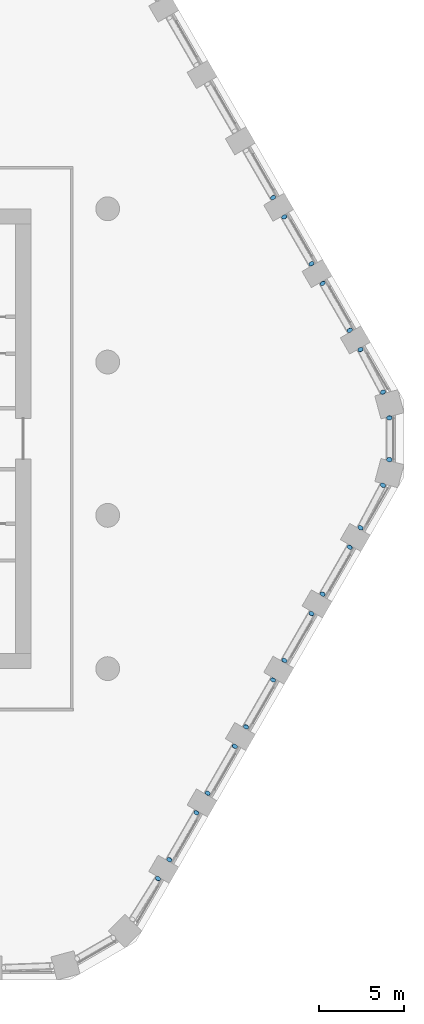
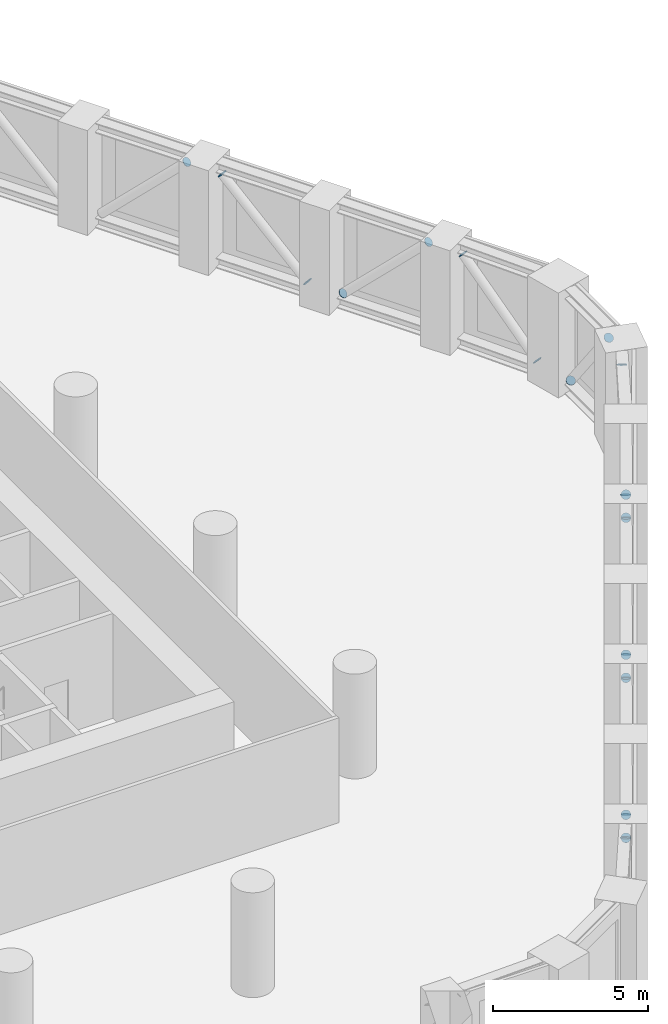
# One storey, part 16 of 18: 22 discrete accessories.
"""IFC4 building model written with IfcOpenShell, lengths in metres."""

from ifc_helpers import new_model, si_unit, direction, frame, origin, origin_2d, place, context, subcontext, project, spatial, circle, extrude, material, material_profile, profile_set, type_object, element, save


model = new_model("IFC4")

# Units and contexts
model_context = context("Model", 3, precision=1e-05, world=origin(), true_north=direction((0.0, 1.0)))
body_context = subcontext(model_context, "Body", "Model", "MODEL_VIEW")
ifc_project = project(units=[si_unit("LENGTHUNIT", "METRE"), si_unit("AREAUNIT", "SQUARE_METRE"), si_unit("VOLUMEUNIT", "CUBIC_METRE"), si_unit("PLANEANGLEUNIT", "RADIAN"), si_unit("MASSUNIT", "GRAM", prefix="KILO")], contexts=[model_context])

# Site, building, storey
site_placement = place(None, origin())
site = spatial("IfcSite", under=ifc_project, at=site_placement, CompositionType="ELEMENT")
building_placement = place(site_placement, origin())
building = spatial("IfcBuilding", under=site, at=building_placement, Name="Dhurran Vertical Campus", CompositionType="ELEMENT")
storey_placement = place(building_placement, frame((0.0, 0.0, 76.800048828125)))
storey = spatial("IfcBuildingStorey", under=building, at=storey_placement, Name="L18 Plant", CompositionType="ELEMENT", Elevation=76.800048828125)

# Discrete accessories
ifc_material = material(Name="Steel S355J2", Category="steel")
ifc_material_profile = material_profile(ifc_material, circle(Radius=0.161865234375, at=origin_2d()), Name="Tube end cap 324 x 20")
ifc_profile_set = profile_set([ifc_material_profile], Name="Steel S355J2")
discrete_accessory_type = type_object("IfcDiscreteAccessoryType", Name="Tube end cap 324 x 20", PredefinedType="USERDEFINED", material=ifc_profile_set)
for number, where, z_axis, x_axis, name in (
    (1, (25.44677734375, -25.8310546875, 3.6298828125), (0.352428962185, 0.571177973196, 0.741316092871), (-0.8510360128, 0.525107327047, 0.0), "EC1 belt L18 d10 capB"),
    (2, (27.70751953125, -21.96337890625, 0.502197265625), (0.354529585537, 0.623483064221, -0.696834012953), (-0.869290118928, 0.494302224488, 0.0), "EC1 belt L18 d11 capA"),
    (3, (26.12451171875, -24.705078125, 3.62255859375), (-0.364770287314, -0.607950478857, 0.705222555474), (0.857492925713, -0.514495755428, 0.0), "EC1 belt L18 d11 capB"),
    (4, (28.37451171875, -20.807861328125, 0.502197265625), (-0.36514837167, -0.620752231839, -0.693781906173), (0.861934215158, -0.507020126563, 0.0), "EC1 belt L18 d12 capA"),
    (5, (29.95751953125, -18.066162109375, 3.62255859375), (0.351521607435, 0.618193171696, 0.70304321487), (-0.869290118928, 0.494302224488, 0.0), "EC1 belt L18 d12 capB"),
    (6, (32.20751953125, -14.1689453125, 0.502197265625), (0.354529585537, 0.623483064221, -0.696834012953), (-0.869290118928, 0.494302224488, 0.0), "EC1 belt L18 d13 capA"),
    (7, (30.62451171875, -16.910888671875, 3.62255859375), (-0.364770287314, -0.607950478857, 0.705222555474), (0.857492925713, -0.514495755428, 0.0), "EC1 belt L18 d13 capB"),
    (8, (32.87451171875, -13.013671875, 0.502197265625), (-0.367911267232, -0.613185445387, -0.699031407741), (0.857492925713, -0.514495755428, 0.0), "EC1 belt L18 d14 capA"),
    (9, (34.45751953125, -10.27197265625, 3.62255859375), (0.351521607435, 0.618193171696, 0.70304321487), (-0.869290118928, 0.494302224488, 0.0), "EC1 belt L18 d14 capB"),
    (10, (36.70751953125, -6.374755859375, 0.502197265625), (0.354529585537, 0.623483064221, -0.696834012953), (-0.869290118928, 0.494302224488, 0.0), "EC1 belt L18 d15 capA"),
):
    element("IfcDiscreteAccessory", number, at=place(storey_placement, frame(where, z_axis=z_axis, x_axis=x_axis)), inside=storey, type_object=discrete_accessory_type, Name=name, ObjectType="END CAP", PredefinedType="USERDEFINED", context=body_context, shape_type="SweptSolid", body=[
        extrude(circle(Radius=0.161865234375, at=origin_2d()), origin(), (0.0, 0.0, 1.0), 0.02001953125),
    ])
discrete_accessory_placement = place(storey_placement, frame((35.12451171875, -9.116455078125, 3.62255859375), z_axis=(-0.362077038074, -0.615530964726, 0.700015606943), x_axis=(0.861934215158, -0.507020126563, 0.0)))
element("IfcDiscreteAccessory", 11, at=discrete_accessory_placement, inside=storey, type_object=discrete_accessory_type, Name="EC1 belt L18 d15 capB", ObjectType="END CAP", PredefinedType="USERDEFINED", context=body_context, shape_type="SweptSolid", body=[
    extrude(circle(Radius=0.161865234375, at=origin_2d()), origin(), (0.0, 0.0, 1.0), 0.020263671875),
])
for number, where, z_axis, x_axis, name in (
    (12, (37.34375, -5.22509765625, 0.4951171875), (-0.317616853461, -0.586369575619, -0.74517800235), (0.879291966537, -0.476283148541, 0.0), "EC1 belt L18 d16 capA"),
    (13, (38.658447265625, -2.74072265625, 3.6298828125), (0.317616853461, 0.586369575619, 0.74517800235), (-0.879291966537, 0.476283148541, 0.0), "EC1 belt L18 d16 capB"),
    (14, (39.039794921875, 1.218994140625, 0.486083984375), (0.0, 0.60971076085, -0.792623989105), (-1.0, 0.0, 0.0), "EC1 belt L18 d17 capA"),
    (15, (39.039794921875, -1.218994140625, 3.638916015625), (0.0, -0.60971076085, 0.792623989105), (1.0, 0.0, 0.0), "EC1 belt L18 d17 capB"),
    (16, (38.658447265625, 2.74072265625, 0.4951171875), (0.317616853461, -0.586369575619, -0.74517800235), (0.879291966537, 0.476283148541, 0.0), "EC1 belt L18 d18 capA"),
    (17, (37.34375, 5.22509765625, 3.6298828125), (-0.317616853461, 0.586369575619, 0.74517800235), (-0.879291966537, -0.476283148541, 0.0), "EC1 belt L18 d18 capB"),
    (18, (35.12451171875, 9.116455078125, 0.502197265625), (-0.36514837167, 0.620752231839, -0.693781906173), (-0.861934215158, -0.507020126563, 0.0), "EC1 belt L18 d19 capA"),
    (19, (36.70751953125, 6.374755859375, 3.62255859375), (0.351521607435, -0.618193171696, 0.70304321487), (0.869290118928, 0.494302224488, 0.0), "EC1 belt L18 d19 capB"),
    (20, (34.45751953125, 10.27197265625, 0.502197265625), (0.354529585537, -0.623483064221, -0.696834012953), (0.869290118928, 0.494302224488, 0.0), "EC1 belt L18 d20 capA"),
    (21, (32.87451171875, 13.013671875, 3.62255859375), (-0.364770287314, 0.607950478857, 0.705222555474), (-0.857492925713, -0.514495755428, 0.0), "EC1 belt L18 d20 capB"),
    (22, (32.20751953125, 14.1689453125, 3.62255859375), (0.351521607435, -0.618193171696, 0.70304321487), (0.869290118928, 0.494302224488, 0.0), "EC1 belt L18 d21 capB"),
):
    element("IfcDiscreteAccessory", number, at=place(storey_placement, frame(where, z_axis=z_axis, x_axis=x_axis)), inside=storey, type_object=discrete_accessory_type, Name=name, ObjectType="END CAP", PredefinedType="USERDEFINED", context=body_context, shape_type="SweptSolid", body=[
        extrude(circle(Radius=0.161865234375, at=origin_2d()), origin(), (0.0, 0.0, 1.0), 0.02001953125),
    ])

save(model, "model.ifc")
